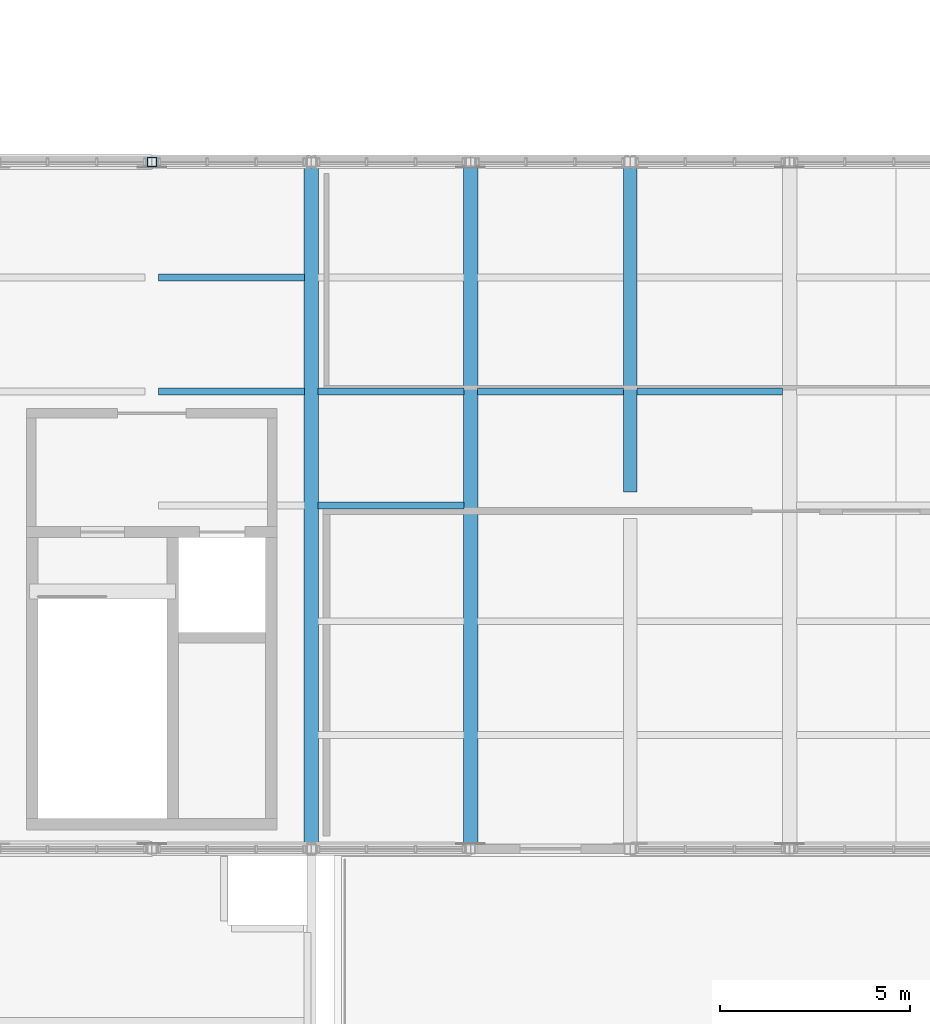
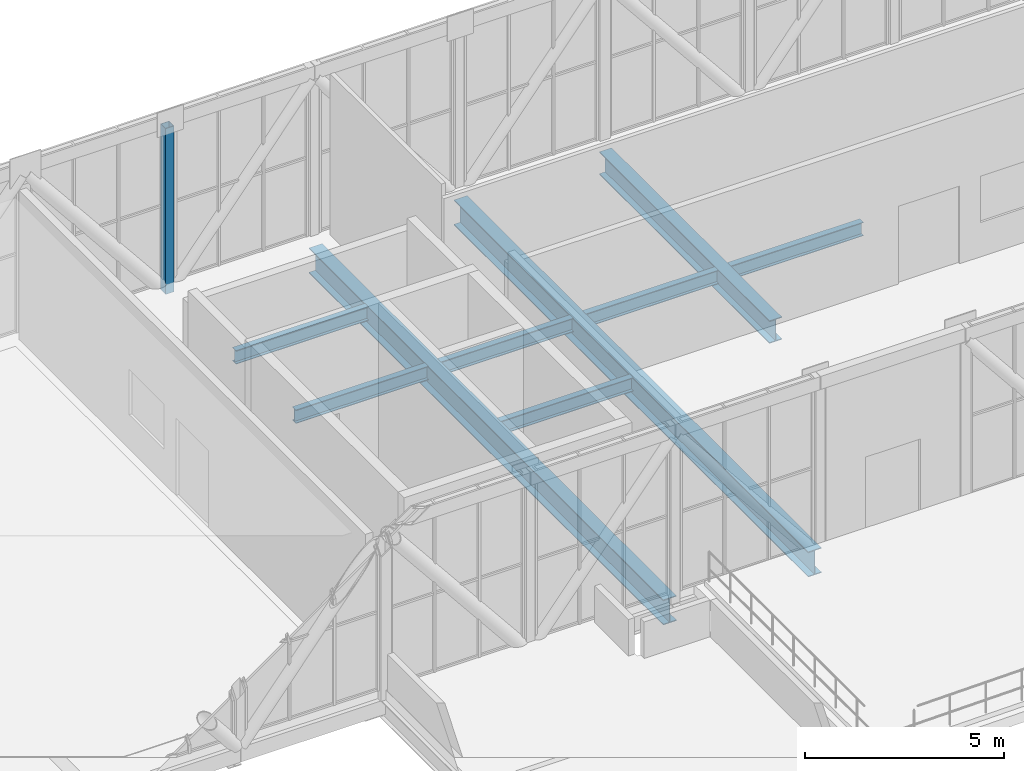
# One storey, part 14 of 58: 9 beams, 1 member.
"""IFC4 building model written with IfcOpenShell, lengths in metres."""

from ifc_helpers import new_model, si_unit, direction, frame, origin, origin_2d, place, context, subcontext, project, spatial, hollow_rectangle, i_section, extrude, material, material_profile, profile_set, type_object, element, save


model = new_model("IFC4")

# Units and contexts
model_context = context("Model", 3, precision=1e-05, world=origin(), true_north=direction((0.0, 1.0)))
body_context = subcontext(model_context, "Body", "Model", "MODEL_VIEW")
ifc_project = project(units=[si_unit("LENGTHUNIT", "METRE"), si_unit("AREAUNIT", "SQUARE_METRE"), si_unit("VOLUMEUNIT", "CUBIC_METRE"), si_unit("PLANEANGLEUNIT", "RADIAN"), si_unit("MASSUNIT", "GRAM", prefix="KILO")], contexts=[model_context])

# Site, building, storey
site_placement = place(None, origin())
site = spatial("IfcSite", under=ifc_project, at=site_placement, CompositionType="ELEMENT")
building_placement = place(site_placement, origin())
building = spatial("IfcBuilding", under=site, at=building_placement, Name="Khurvash Pelagic Aquarium", CompositionType="ELEMENT")
storey_placement = place(building_placement, frame((0.0, 0.0, 24.60009765625)))
storey = spatial("IfcBuildingStorey", under=building, at=storey_placement, Name="L05", CompositionType="ELEMENT", Elevation=24.60009765625)

# Beams
ifc_material_1 = material(Name="Steel ASTM A992 Grade 50", Category="steel")
ifc_material_profile_1 = material_profile(ifc_material_1, i_section(OverallWidth=0.381103515625, OverallDepth=0.77197265625, WebThickness=0.0166015625, FlangeThickness=0.027099609375, at=origin_2d()), Name="W30X173")
ifc_profile_set_1 = profile_set([ifc_material_profile_1], Name="Steel ASTM A992 Grade 50")
beam_type_1 = type_object("IfcBeamType", Name="BM-08", PredefinedType="BEAM", material=ifc_profile_set_1)
for number, where, z_axis, x_axis, name in (
    (1, (33.60009765625, 11.81005859375, -0.68603515625), (0.0, 1.0, 0.0), (-1.0, 0.0, 0.0), "L05 Sky-Bar Transverse Floor Girder BM-08 N06"),
    (2, (37.800048828125, 11.81005859375, -0.68603515625), (0.0, 1.0, 0.0), (-1.0, 0.0, 0.0), "L05 Sky-Bar Transverse Floor Girder BM-08 N07"),
):
    element("IfcBeam", number, at=place(storey_placement, frame(where, z_axis=z_axis, x_axis=x_axis)), inside=storey, type_object=beam_type_1, Name=name, PredefinedType="BEAM", context=body_context, shape_type="SweptSolid", body=[
        extrude(i_section(OverallWidth=0.381103515625, OverallDepth=0.77197265625, WebThickness=0.0166015625, FlangeThickness=0.027099609375, at=origin_2d()), origin(), (0.0, 0.0, 1.0), 17.780029296875),
    ])
ifc_material_profile_2 = material_profile(ifc_material_1, i_section(OverallWidth=0.35595703125, OverallDepth=0.696044921875, WebThickness=0.015380859375, FlangeThickness=0.02490234375, at=origin_2d()), Name="W27X146")
ifc_profile_set_2 = profile_set([ifc_material_profile_2], Name="Steel ASTM A992 Grade 50")
beam_type_2 = type_object("IfcBeamType", Name="BM-09", PredefinedType="BEAM", material=ifc_profile_set_2)
beam_placement = place(storey_placement, frame((42.0, 21.050048828125, -0.648193359375), z_axis=(0.0, 1.0, 0.0), x_axis=(-1.0, 0.0, 0.0)))
element("IfcBeam", 3, at=beam_placement, inside=storey, type_object=beam_type_2, Name="L05 Sky-Bar Transverse Floor Girder BM-09 N08", PredefinedType="BEAM", context=body_context, shape_type="SweptSolid", body=[
    extrude(i_section(OverallWidth=0.35595703125, OverallDepth=0.696044921875, WebThickness=0.015380859375, FlangeThickness=0.02490234375, at=origin_2d()), origin(), (0.0, 0.0, 1.0), 8.5400390625),
])
ifc_material_profile_3 = material_profile(ifc_material_1, i_section(OverallWidth=0.180908203125, OverallDepth=0.4169921875, WebThickness=0.010986328125, FlangeThickness=0.018310546875, at=origin_2d()), Name="W16X57")
ifc_profile_set_3 = profile_set([ifc_material_profile_3], Name="Steel ASTM A992 Grade 50")
beam_type_3 = type_object("IfcBeamType", Name="JS-03", PredefinedType="JOIST", material=ifc_profile_set_3)
for number, where, z_axis, x_axis, name in (
    (4, (29.580078125, 23.699951171875, -0.508544921875), (1.0, 0.0, 0.0), (0.0, 1.0, 0.0), "L05 Sky-Bar Floor Joist JS-03 P05"),
    (5, (29.580078125, 26.699951171875, -0.508544921875), (1.0, 0.0, 0.0), (0.0, 1.0, 0.0), "L05 Sky-Bar Floor Joist JS-03 P05"),
):
    element("IfcBeam", number, at=place(storey_placement, frame(where, z_axis=z_axis, x_axis=x_axis)), inside=storey, type_object=beam_type_3, Name=name, PredefinedType="JOIST", context=body_context, shape_type="SweptSolid", body=[
        extrude(i_section(OverallWidth=0.180908203125, OverallDepth=0.4169921875, WebThickness=0.010986328125, FlangeThickness=0.018310546875, at=origin_2d()), origin(), (0.0, 0.0, 1.0), 3.83984375),
    ])
for number, where, z_axis, x_axis, name in (
    (6, (33.780029296875, 20.699951171875, -0.508544921875), (1.0, 0.0, 0.0), (0.0, 1.0, 0.0), "L05 Sky-Bar Floor Joist JS-03 P06"),
    (7, (33.780029296875, 23.699951171875, -0.508544921875), (1.0, 0.0, 0.0), (0.0, 1.0, 0.0), "L05 Sky-Bar Floor Joist JS-03 P06"),
    (8, (37.97998046875, 23.699951171875, -0.508544921875), (1.0, 0.0, 0.0), (0.0, 1.0, 0.0), "L05 Sky-Bar Floor Joist JS-03 P07"),
    (9, (42.179931640625, 23.699951171875, -0.508544921875), (1.0, 0.0, 0.0), (0.0, 1.0, 0.0), "L05 Sky-Bar Floor Joist JS-03 P08"),
):
    element("IfcBeam", number, at=place(storey_placement, frame(where, z_axis=z_axis, x_axis=x_axis)), inside=storey, type_object=beam_type_3, Name=name, PredefinedType="JOIST", context=body_context, shape_type="SweptSolid", body=[
        extrude(i_section(OverallWidth=0.180908203125, OverallDepth=0.4169921875, WebThickness=0.010986328125, FlangeThickness=0.018310546875, at=origin_2d()), origin(), (0.0, 0.0, 1.0), 3.840087890625),
    ])

# Member
ifc_material_2 = material(Name="Steel S355J2", Category="steel")
ifc_material_profile_4 = material_profile(ifc_material_2, hollow_rectangle(XDim=0.25, YDim=0.25, WallThickness=0.012451171875, at=origin_2d()), Name="SHS250X250X12")
ifc_profile_set_4 = profile_set([ifc_material_profile_4], Name="Steel S355J2")
member_type = type_object("IfcMemberType", Name="TV-02", PredefinedType="POST", material=ifc_profile_set_4)
member_placement = place(storey_placement, frame((29.39990234375, 29.75, -0.300048828125), z_axis=(0.0, 0.0, 1.0), x_axis=(1.0, 0.0, 0.0)))
element("IfcMember", 10, at=member_placement, inside=storey, type_object=member_type, Name="L05 North Sky-Bar Truss Post TV-02 N05", PredefinedType="POST", context=body_context, shape_type="SweptSolid", body=[
    extrude(hollow_rectangle(XDim=0.25, YDim=0.25, WallThickness=0.012451171875, at=origin_2d()), origin(), (0.0, 0.0, 1.0), 5.079833984375),
])

save(model, "model.ifc")
